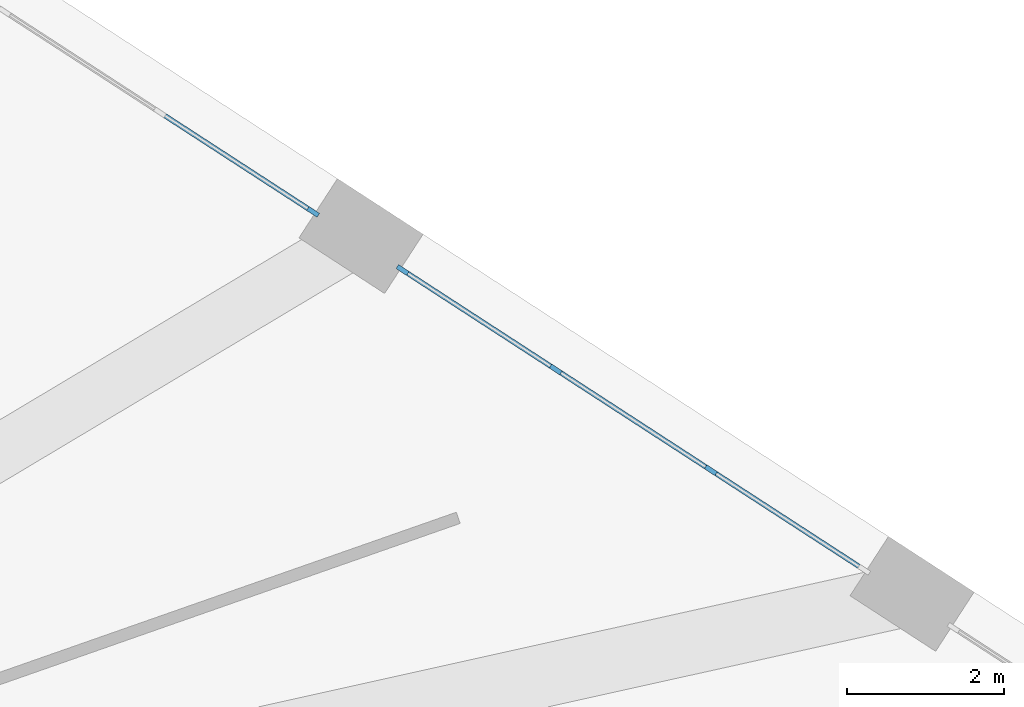
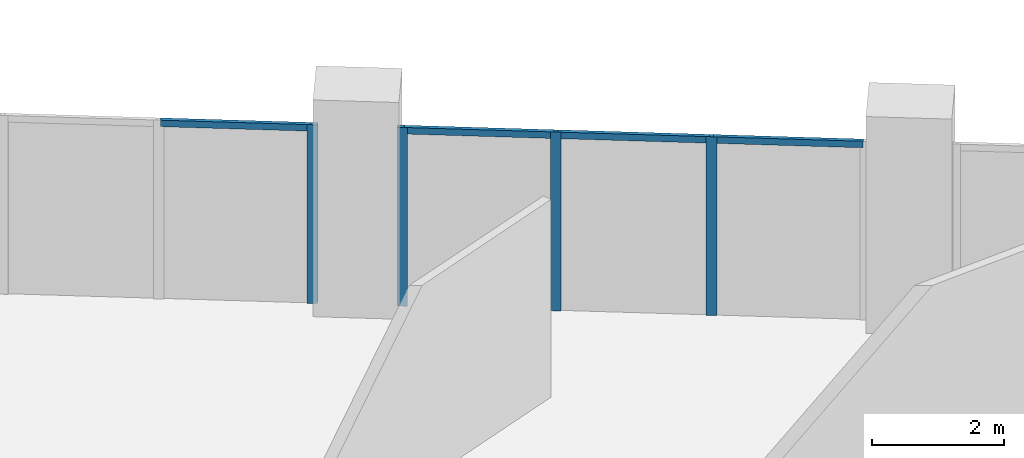
# One storey, part 9 of 18: 8 members, 2 elements without a shape of their own.
"""IFC4 building model written with IfcOpenShell, lengths in metres."""

from ifc_helpers import new_model, si_unit, direction, frame, origin, origin_2d, place, context, subcontext, project, spatial, rectangle, extrude, material, layer, layer_set, material_profile, profile_set, type_object, element, aggregate, save


model = new_model("IFC4")

# Units and contexts
model_context = context("Model", 3, precision=1e-05, world=origin(), true_north=direction((0.0, 1.0)))
body_context = subcontext(model_context, "Body", "Model", "MODEL_VIEW")
ifc_project = project(units=[si_unit("LENGTHUNIT", "METRE"), si_unit("AREAUNIT", "SQUARE_METRE"), si_unit("VOLUMEUNIT", "CUBIC_METRE"), si_unit("PLANEANGLEUNIT", "RADIAN"), si_unit("MASSUNIT", "GRAM", prefix="KILO")], contexts=[model_context])

# Site, building, storey
site_placement = place(None, origin())
site = spatial("IfcSite", under=ifc_project, at=site_placement, CompositionType="ELEMENT")
building_placement = place(site_placement, origin())
building = spatial("IfcBuilding", under=site, at=building_placement, Name="Tramontana Tower", CompositionType="ELEMENT")
storey_placement = place(building_placement, frame((0.0, 0.0, 125.60009765625)))
storey = spatial("IfcBuildingStorey", under=building, at=storey_placement, Name="L28", CompositionType="ELEMENT", Elevation=125.60009765625)

# Curtain wall, members
ifc_material_1 = material(Name="Aluminum extrusion", Category="aluminium")
ifc_layer = layer(ifc_material_1, 0.14990234375)
ifc_layer_set = layer_set([ifc_layer], Name="CW3 Sky lobby 1 curtain wall")
curtain_wall_type = type_object("IfcCurtainWallType", Name="CW3 Sky lobby 1 curtain wall", PredefinedType="NOTDEFINED", material=ifc_layer_set)
curtain_wall_1_placement = place(storey_placement, origin())
curtain_wall_1 = element("IfcCurtainWall", 1, at=curtain_wall_1_placement, inside=storey, type_object=curtain_wall_type, Name="CW3 curtain wall L28 face 2 bay 2", PredefinedType="NOTDEFINED")
ifc_material_2 = material(Name="Aluminum extrusion", Category="aluminium")
ifc_material_profile_1 = material_profile(ifc_material_2, rectangle(XDim=0.06005859375, YDim=0.159912109375, at=origin_2d()), Name="CW3-M Mullion 60 x 160")
ifc_profile_set_1 = profile_set([ifc_material_profile_1], Name="Aluminum extrusion")
member_type_1 = type_object("IfcMemberType", Name="CW3-M Mullion 60 x 160", PredefinedType="MULLION", material=ifc_profile_set_1)
member_1_placement = place(storey_placement, frame((20.76513671875, 6.75537109375, 0.0), z_axis=(0.0, 0.0, 1.0), x_axis=(-0.544639035015, -0.838670567945, 0.0)))
member_1 = element("IfcMember", 2, at=member_1_placement, type_object=member_type_1, Name="CW3 curtain wall L28 face 2 bay 2 mullion 2", PredefinedType="MULLION", context=body_context, shape_type="SweptSolid", body=[
    extrude(rectangle(XDim=0.06005859375, YDim=0.159912109375, at=origin_2d()), origin(), (0.0, 0.0, 1.0), 3.2998046875),
])
member_2_placement = place(storey_placement, frame((18.788330078125, 8.0390625, 0.0), z_axis=(0.0, 0.0, 1.0), x_axis=(-0.544639035015, -0.838670567945, 0.0)))
member_2 = element("IfcMember", 3, at=member_2_placement, type_object=member_type_1, Name="CW3 curtain wall L28 face 2 bay 2 mullion 3", PredefinedType="MULLION", context=body_context, shape_type="SweptSolid", body=[
    extrude(rectangle(XDim=0.06005859375, YDim=0.159912109375, at=origin_2d()), origin(), (0.0, 0.0, 1.0), 3.2998046875),
])
member_3_placement = place(storey_placement, frame((16.83642578125, 9.306640625, 0.0), z_axis=(0.0, 0.0, 1.0), x_axis=(-0.544639035015, -0.838670567945, 0.0)))
member_3 = element("IfcMember", 4, at=member_3_placement, type_object=member_type_1, Name="CW3 curtain wall L28 face 2 bay 2 mullion 4", PredefinedType="MULLION", context=body_context, shape_type="SweptSolid", body=[
    extrude(rectangle(XDim=0.06005859375, YDim=0.159912109375, at=origin_2d()), origin(), (0.0, 0.0, 1.0), 3.2998046875),
])

# Curtain wall, member
curtain_wall_2_placement = place(storey_placement, origin())
curtain_wall_2 = element("IfcCurtainWall", 5, at=curtain_wall_2_placement, inside=storey, type_object=curtain_wall_type, Name="CW3 curtain wall L28 face 2 bay 3", PredefinedType="NOTDEFINED")
member_4_placement = place(storey_placement, frame((15.696044921875, 10.04736328125, 0.0), z_axis=(0.0, 0.0, 1.0), x_axis=(-0.544639035015, -0.838670567945, 0.0)))
member_4 = element("IfcMember", 6, at=member_4_placement, type_object=member_type_1, Name="CW3 curtain wall L28 face 2 bay 3 mullion 1", PredefinedType="MULLION", context=body_context, shape_type="SweptSolid", body=[
    extrude(rectangle(XDim=0.06005859375, YDim=0.159912109375, at=origin_2d()), origin(), (0.0, 0.0, 1.0), 3.2998046875),
])

# Member
ifc_material_3 = material(Name="Aluminum extrusion", Category="aluminium")
ifc_material_profile_2 = material_profile(ifc_material_3, rectangle(XDim=0.06005859375, YDim=0.1201171875, at=origin_2d()), Name="CW3-T Transom 60 x 120")
ifc_profile_set_2 = profile_set([ifc_material_profile_2], Name="Aluminum extrusion")
member_type_2 = type_object("IfcMemberType", Name="CW3-T Transom 60 x 120", PredefinedType="USERDEFINED", material=ifc_profile_set_2)
member_5_placement = place(storey_placement, frame((22.69189453125, 5.504150390625, 3.239990234375), z_axis=(-0.838682162347, 0.544621180787, 0.0), x_axis=(-0.544621180787, -0.838682162347, 0.0)))
member_5 = element("IfcMember", 7, at=member_5_placement, type_object=member_type_2, Name="CW3 curtain wall L28 face 2 bay 2 transom 1.1", ObjectType="TRANSOM", PredefinedType="USERDEFINED", context=body_context, shape_type="SweptSolid", body=[
    extrude(rectangle(XDim=0.06005859375, YDim=0.1201171875, at=origin_2d()), origin(), (0.0, 0.0, 1.0), 2.267333984375),
])

member_6_placement = place(storey_placement, frame((20.739990234375, 6.771728515625, 3.239990234375), z_axis=(-0.838693642934, 0.544603501, 0.0), x_axis=(-0.544603501, -0.838693642934, 0.0)))
member_6 = element("IfcMember", 8, at=member_6_placement, type_object=member_type_2, Name="CW3 curtain wall L28 face 2 bay 2 transom 2.1", ObjectType="TRANSOM", PredefinedType="USERDEFINED", context=body_context, shape_type="SweptSolid", body=[
    extrude(rectangle(XDim=0.06005859375, YDim=0.1201171875, at=origin_2d()), origin(), (0.0, 0.0, 1.0), 2.297119140625),
])

member_7_placement = place(storey_placement, frame((18.76318359375, 8.055419921875, 3.239990234375), z_axis=(-0.838650220238, 0.544670366456, 0.0), x_axis=(-0.544670366456, -0.838650220238, 0.0)))
member_7 = element("IfcMember", 9, at=member_7_placement, type_object=member_type_2, Name="CW3 curtain wall L28 face 2 bay 2 transom 3.1", ObjectType="TRANSOM", PredefinedType="USERDEFINED", context=body_context, shape_type="SweptSolid", body=[
    extrude(rectangle(XDim=0.06005859375, YDim=0.1201171875, at=origin_2d()), origin(), (0.0, 0.0, 1.0), 2.26708984375),
])

aggregate(curtain_wall_1, [member_1, member_2, member_3, member_5, member_6, member_7])

member_8_placement = place(storey_placement, frame((15.6708984375, 10.063720703125, 3.239990234375), z_axis=(-0.838731343975, 0.544545436703, 0.0), x_axis=(-0.544545436703, -0.838731343975, 0.0)))
member_8 = element("IfcMember", 10, at=member_8_placement, type_object=member_type_2, Name="CW3 curtain wall L28 face 2 bay 3 transom 1.1", ObjectType="TRANSOM", PredefinedType="USERDEFINED", context=body_context, shape_type="SweptSolid", body=[
    extrude(rectangle(XDim=0.06005859375, YDim=0.1201171875, at=origin_2d()), origin(), (0.0, 0.0, 1.0), 2.267333984375),
])

aggregate(curtain_wall_2, [member_4, member_8])

save(model, "model.ifc")
